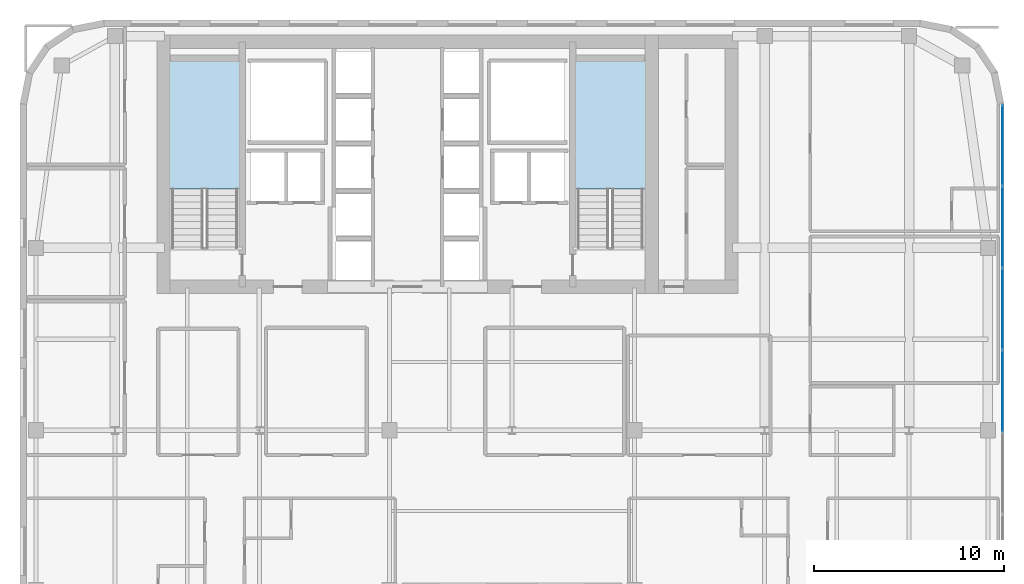
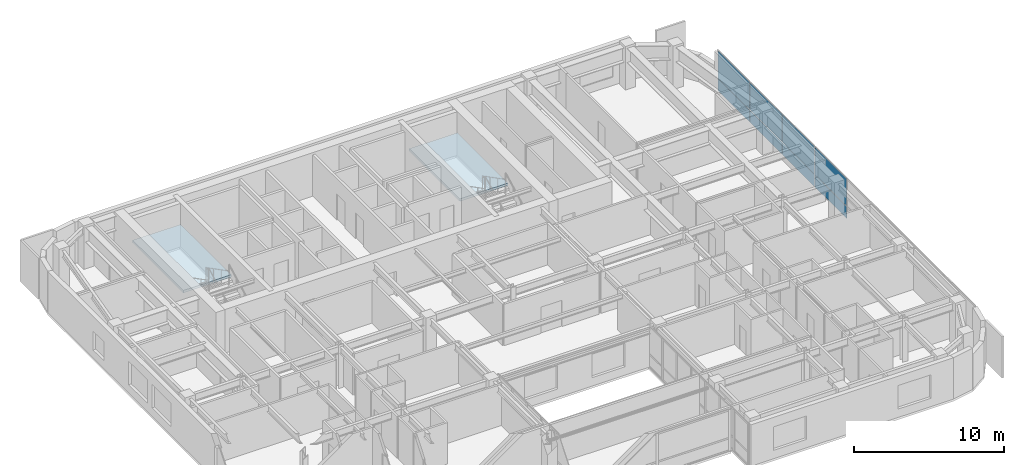
# One storey, part 12 of 20: 8 plates, 2 slabs, 3 elements without a shape of their own.
"""IFC4 building model written with IfcOpenShell, lengths in metres."""

import ifcopenshell
import ifcopenshell.guid

model = None  # the IFC model being written
_history = None  # IfcOwnerHistory: only IFC2X3 demands one
_inside = {}  # id of a spatial element -> (the spatial element, [elements in it])
_under = {}  # id of a project, library or spatial element -> (it, [spatial elements below it])
_declared = {}  # id of a project -> (the project, [libraries it declares])
_typed = {}  # id of a type object -> (the type object, [elements of that type])
_made_of = {}  # id of a material, layer set ... -> (it, [elements and type objects made of it])


def new_model(schema):
    """Start an empty IFC model of exactly this schema.

    Asked for "IFC4X3", IfcOpenShell would pick the latest addendum, in which some entities
    have other attributes; the version numbers below select the first issue.
    IFC2X3 requires an IfcOwnerHistory on every rooted entity: one is made here for all.
    """
    global model, _history
    if schema == "IFC4X3":
        model = ifcopenshell.file(schema_version=(4, 3, 0, 0))
    else:
        model = ifcopenshell.file(schema=schema)
    _inside.clear()
    _under.clear()
    _declared.clear()
    _typed.clear()
    _made_of.clear()
    _history = None
    if model.schema == "IFC2X3":
        org = make("IfcOrganization", Name="unknown")
        user = make(
            "IfcPersonAndOrganization",
            ThePerson=make("IfcPerson", FamilyName="unknown"),
            TheOrganization=org,
        )
        app = make(
            "IfcApplication",
            ApplicationDeveloper=org,
            Version="unknown",
            ApplicationFullName="unknown",
            ApplicationIdentifier="unknown",
        )
        _history = make(
            "IfcOwnerHistory",
            OwningUser=user,
            OwningApplication=app,
            ChangeAction="ADDED",
            CreationDate=0,
        )
    return model


def make(cls, **values):
    """One entity of the class cls with the attributes given. An attribute that is None is left unset."""
    return model.create_entity(
        cls, **{name: value for name, value in values.items() if value is not None}
    )


def rooted(cls, **values):
    """An entity with a GlobalId (a new one), such as an element, a storey or a relation."""
    return make(cls, GlobalId=ifcopenshell.guid.new(), OwnerHistory=_history, **values)


def si_unit(unit_type, name, prefix=None):
    """IfcSIUnit, for example si_unit("LENGTHUNIT", "METRE", prefix="MILLI")."""
    return make("IfcSIUnit", UnitType=unit_type, Prefix=prefix, Name=name)


def assignment(units):
    """IfcUnitAssignment: the units of a project."""
    return None if units is None else make("IfcUnitAssignment", Units=units)


def point(xyz):
    """IfcCartesianPoint."""
    return None if xyz is None else make("IfcCartesianPoint", Coordinates=xyz)


def direction(xyz):
    """IfcDirection."""
    return None if xyz is None else make("IfcDirection", DirectionRatios=xyz)


def frame(location, z_axis=None, x_axis=None):
    """IfcAxis2Placement3D, a coordinate frame: its origin and axes. An axis left out is left unset."""
    return make(
        "IfcAxis2Placement3D",
        Location=point(location),
        Axis=direction(z_axis),
        RefDirection=direction(x_axis),
    )


def frame_2d(location, x_axis=None):
    """IfcAxis2Placement2D, a coordinate frame in the plane: its origin and x axis."""
    return make(
        "IfcAxis2Placement2D", Location=point(location), RefDirection=direction(x_axis)
    )


def origin():
    """The frame at (0, 0, 0) with its axes left unset."""
    return frame((0.0, 0.0, 0.0))


def origin_2d():
    """The frame at (0, 0) in the plane with its x axis left unset."""
    return frame_2d((0.0, 0.0))


def place(relative_to, where):
    """IfcLocalPlacement: puts the frame where relative to a parent placement (None: the world)."""
    return make(
        "IfcLocalPlacement", PlacementRelTo=relative_to, RelativePlacement=where
    )


def context(
    kind, dimensions, precision=None, world=None, true_north=None, identifier=None
):
    """IfcGeometricRepresentationContext, for example the 3D "Model" context."""
    return make(
        "IfcGeometricRepresentationContext",
        ContextIdentifier=identifier,
        ContextType=kind,
        CoordinateSpaceDimension=dimensions,
        Precision=precision,
        WorldCoordinateSystem=world,
        TrueNorth=true_north,
    )


def subcontext(parent, identifier, kind, view, scale=None):
    """IfcGeometricRepresentationSubContext, for example "Body" below "Model"."""
    return make(
        "IfcGeometricRepresentationSubContext",
        ContextIdentifier=identifier,
        ContextType=kind,
        ParentContext=parent,
        TargetScale=scale,
        TargetView=view,
    )


def project(units=None, contexts=None):
    """IfcProject with its units and contexts."""
    return rooted(
        "IfcProject",
        Name="project",
        RepresentationContexts=contexts,
        UnitsInContext=assignment(units),
    )


def spatial(cls, under=None, at=None, **own):
    """A site, building, storey or space (cls), placed at a placement, below another one or the project."""
    s = rooted(cls, ObjectPlacement=at, **own)
    if under is not None:
        _under.setdefault(under.id(), (under, []))[1].append(s)
    return s


def polyline(points):
    """IfcPolyline through the points."""
    return make("IfcPolyline", Points=[point(p) for p in points])


def profile(cls, at=None, kind="AREA", **sizes):
    """A parametric profile (cls). Its sizes go by their IFC names, for example OverallWidth=200.0."""
    return make(cls, ProfileType=kind, Position=at, **sizes)


def rectangle(**sizes):
    """IfcRectangleProfileDef."""
    return profile("IfcRectangleProfileDef", **sizes)


def outline(outer, holes=None, kind="AREA"):
    """IfcArbitraryClosedProfileDef: a profile drawn as a closed curve; with holes, ...WithVoids."""
    if holes is None:
        return make("IfcArbitraryClosedProfileDef", ProfileType=kind, OuterCurve=outer)
    return make(
        "IfcArbitraryProfileDefWithVoids",
        ProfileType=kind,
        OuterCurve=outer,
        InnerCurves=holes,
    )


def extrude(swept, where, along, depth):
    """IfcExtrudedAreaSolid: the profile swept, set in the frame where, extruded along a direction by depth."""
    return make(
        "IfcExtrudedAreaSolid",
        SweptArea=swept,
        Position=where,
        ExtrudedDirection=direction(along),
        Depth=depth,
    )


def shape(context_of_items, identifier, shape_type, items):
    """IfcShapeRepresentation: the items that make up one representation, for example the "Body"."""
    return make(
        "IfcShapeRepresentation",
        ContextOfItems=context_of_items,
        RepresentationIdentifier=identifier,
        RepresentationType=shape_type,
        Items=items,
    )


def source(mapping_origin, context_of_items, identifier, shape_type, items):
    """IfcRepresentationMap: a shape defined once, which mapped items show again and again."""
    return make(
        "IfcRepresentationMap",
        MappingOrigin=mapping_origin,
        MappedRepresentation=shape(context_of_items, identifier, shape_type, items),
    )


def transform(
    local_origin,
    x_axis=None,
    y_axis=None,
    z_axis=None,
    scale=None,
    scale2=None,
    scale3=None,
    uniform=True,
):
    """IfcCartesianTransformationOperator3D, or its non-uniform kind. x_axis, y_axis, z_axis: its Axis1, 2, 3."""
    if uniform:
        return make(
            "IfcCartesianTransformationOperator3D",
            Axis1=direction(x_axis),
            Axis2=direction(y_axis),
            LocalOrigin=point(local_origin),
            Scale=scale,
            Axis3=direction(z_axis),
        )
    return make(
        "IfcCartesianTransformationOperator3DnonUniform",
        Axis1=direction(x_axis),
        Axis2=direction(y_axis),
        LocalOrigin=point(local_origin),
        Scale=scale,
        Axis3=direction(z_axis),
        Scale2=scale2,
        Scale3=scale3,
    )


def mapped(mapping_source, mapping_target):
    """IfcMappedItem: shows the shape of a source again, moved by a transform."""
    return make(
        "IfcMappedItem", MappingSource=mapping_source, MappingTarget=mapping_target
    )


def material(Name=None, Category=None):
    """IfcMaterial."""
    return make("IfcMaterial", Name=Name, Category=Category)


def layer(
    of_material, thickness, ventilated=None, Name=None, Category=None, Priority=None
):
    """IfcMaterialLayer: one layer of a wall or slab, of a material (None: an air gap)."""
    return make(
        "IfcMaterialLayer",
        Material=of_material,
        LayerThickness=thickness,
        IsVentilated=ventilated,
        Name=Name,
        Category=Category,
        Priority=Priority,
    )


def layer_set(layers, Name=None):
    """IfcMaterialLayerSet."""
    return make("IfcMaterialLayerSet", MaterialLayers=layers, LayerSetName=Name)


def made_of(thing, what):
    """Note that an element or type object is made of a material, layer set ...; save() writes the relation."""
    if what is not None:
        _made_of.setdefault(what.id(), (what, []))[1].append(thing)
    return thing


def type_object(cls, material=None, **own):
    """A type object (cls), such as IfcWallType, which elements share."""
    return made_of(rooted(cls, **own), material)


def type_shapes(of_type, sources):
    """Give a type object the sources (RepresentationMaps) that its elements show as mapped items."""
    of_type.RepresentationMaps = sources


def element(
    cls,
    number,
    at=None,
    inside=None,
    cuts=None,
    type_object=None,
    material=None,
    context=None,
    identifier="Body",
    shape_type=None,
    held_by="IfcProductDefinitionShape",
    body=None,
    shapes=None,
    **own,
):
    """One element of the class cls, such as IfcWall. Its Tag is "e" and its number.

    at: its placement. inside: the storey or other place that contains it. cuts: it is an
    opening in that element (IfcRelVoidsElement). A single representation is given by context,
    identifier, shape_type and body (its items); several are given by shapes. held_by: the class
    of the entity that holds the representations. save() writes the other relations.
    """
    e = rooted(cls, Tag="e%d" % number, ObjectPlacement=at, **own)
    if body is not None:
        shapes = [shape(context, identifier, shape_type, body)]
    if shapes is not None:
        e.Representation = make(held_by, Representations=shapes)
    if inside is not None:
        _inside.setdefault(inside.id(), (inside, []))[1].append(e)
    if cuts is not None:
        rooted(
            "IfcRelVoidsElement", RelatingBuildingElement=cuts, RelatedOpeningElement=e
        )
    if type_object is not None:
        _typed.setdefault(type_object.id(), (type_object, []))[1].append(e)
    return made_of(e, material)


def aggregate(whole, parts):
    """IfcRelAggregates: a whole, such as a stair, and the parts it consists of."""
    return rooted("IfcRelAggregates", RelatingObject=whole, RelatedObjects=parts)


def save(model, path):
    """Write the relations noted so far, then the file.

    IfcRelAggregates (storeys below a building ...), IfcRelContainedInSpatialStructure (elements
    in a storey), IfcRelDefinesByType, IfcRelAssociatesMaterial and IfcRelDeclares: one each for
    every whole, place, type object, material and project.
    """
    for whole, parts in _under.values():
        aggregate(whole, parts)
    for where, things in _inside.values():
        rooted(
            "IfcRelContainedInSpatialStructure",
            RelatedElements=things,
            RelatingStructure=where,
        )
    for kind, things in _typed.values():
        rooted("IfcRelDefinesByType", RelatedObjects=things, RelatingType=kind)
    for what, things in _made_of.values():
        rooted("IfcRelAssociatesMaterial", RelatedObjects=things, RelatingMaterial=what)
    for by, libraries in _declared.values():
        rooted("IfcRelDeclares", RelatingContext=by, RelatedDefinitions=libraries)
    model.write(path)


model = new_model("IFC4")

# Units and contexts
model_context = context("Model", 3, precision=1e-05, world=origin(), true_north=direction((0.0, 1.0)))
body_context = subcontext(model_context, "Body", "Model", "MODEL_VIEW")
ifc_project = project(units=[si_unit("LENGTHUNIT", "METRE"), si_unit("AREAUNIT", "SQUARE_METRE"), si_unit("VOLUMEUNIT", "CUBIC_METRE"), si_unit("PLANEANGLEUNIT", "RADIAN"), si_unit("MASSUNIT", "GRAM", prefix="KILO")], contexts=[model_context])

# Site, building, storey
site_placement = place(None, origin())
site = spatial("IfcSite", under=ifc_project, at=site_placement, CompositionType="ELEMENT")
building_placement = place(site_placement, origin())
building = spatial("IfcBuilding", under=site, at=building_placement, Name="Tolvann Quenvar Hotel", CompositionType="ELEMENT")
storey_placement = place(building_placement, frame((0.0, 0.0, 171.89990234375)))
storey = spatial("IfcBuildingStorey", under=building, at=storey_placement, Name="L45", CompositionType="ELEMENT", Elevation=171.89990234375)

# Stair, slab
ifc_material_1 = material(Name="Concrete N40 (40 MPa)", Category="concrete")
stair_type = type_object("IfcStairType", Name="STAIR", PredefinedType="HALF_TURN_STAIR", material=ifc_material_1)
stair_1_placement = place(storey_placement, origin())
stair_1 = element("IfcStair", 1, at=stair_1_placement, inside=storey, type_object=stair_type, Name="L45 ST-C1", PredefinedType="HALF_TURN_STAIR")
ifc_layer_1 = layer(ifc_material_1, 0.199951171875)
ifc_layer_set_1 = layer_set([ifc_layer_1], Name="Concrete N40 (40 MPa)")
slab_type = type_object("IfcSlabType", Name="SLAB_LANDING", PredefinedType="LANDING", material=ifc_layer_set_1)
slab_1_placement = place(storey_placement, frame((0.0, 0.0, 1.5751953125)))
slab_1 = element("IfcSlab", 2, at=slab_1_placement, type_object=slab_type, Name="ST-C1 landing 1", PredefinedType="LANDING", context=body_context, shape_type="SweptSolid", body=[
    extrude(outline(polyline([(14.179931640625, 37.10498046875), (14.179931640625, 43.8798828125), (10.469970703125, 43.8798828125), (10.469970703125, 37.10498046875), (14.179931640625, 37.10498046875)])), origin(), (0.0, 0.0, 1.0), 0.199951171875),
])
aggregate(stair_1, [slab_1])

stair_2_placement = place(storey_placement, origin())
stair_2 = element("IfcStair", 3, at=stair_2_placement, inside=storey, type_object=stair_type, Name="L45 ST-C2", PredefinedType="HALF_TURN_STAIR")
slab_2_placement = place(storey_placement, frame((0.0, 0.0, 1.5751953125)))
slab_2 = element("IfcSlab", 4, at=slab_2_placement, type_object=slab_type, Name="ST-C2 landing 1", PredefinedType="LANDING", context=body_context, shape_type="SweptSolid", body=[
    extrude(outline(polyline([(35.530029296875, 37.10498046875), (35.530029296875, 43.8798828125), (31.820068359375, 43.8798828125), (31.820068359375, 37.10498046875), (35.530029296875, 37.10498046875)])), origin(), (0.0, 0.0, 1.0), 0.199951171875),
])
aggregate(stair_2, [slab_2])

# Curtain wall, plates
ifc_material_2 = material(Name="Thermally broken anodised architectural aluminium 6063-T6 and laminated low-E glass", Category="aluminium")
ifc_layer_2 = layer(ifc_material_2, 0.179931640625)
ifc_layer_set_2 = layer_set([ifc_layer_2], Name="Thermally broken anodised architectural aluminium 6063-T6 and laminated low-E glass")
curtain_wall_type = type_object("IfcCurtainWallType", Name="CW_SYS_BAND_04", PredefinedType="USERDEFINED", material=ifc_layer_set_2)
curtain_wall_placement = place(storey_placement, origin())
curtain_wall = element("IfcCurtainWall", 5, at=curtain_wall_placement, inside=storey, type_object=curtain_wall_type, Name="Curtain Wall CW-BAND-04 (CWR-L45-E13)", ObjectType="UNITISED CURTAIN WALL", PredefinedType="USERDEFINED")
ifc_material_3 = material(Name="Low-iron laminated double glazing with solar-control coating", Category="glass")
ifc_layer_3 = layer(ifc_material_3, 0.028076171875)
ifc_layer_set_3 = layer_set([ifc_layer_3], Name="Low-iron laminated double glazing with solar-control coating")
plate_type = type_object("IfcPlateType", Name="CW_PAN_VISION_28", PredefinedType="CURTAIN_PANEL", material=ifc_layer_set_3)
shared_shape_1 = source(origin(), body_context, "Body", "SweptSolid", [
    extrude(rectangle(XDim=4.2158203125, YDim=0.028076171875, at=origin_2d()), origin(), (0.0, 0.0, 1.0), 0.9599609375),
])
plate_1_placement = place(storey_placement, frame((54.31005859375, 39.405029296875, 0.06005859375), z_axis=(0.0, 0.0, 1.0), x_axis=(0.0, 1.0, 0.0)))
plate_1 = element("IfcPlate", 6, at=plate_1_placement, type_object=plate_type, Name="CW-BAND-04 panel 8.1", PredefinedType="CURTAIN_PANEL", context=body_context, shape_type="MappedRepresentation", body=[
    mapped(shared_shape_1, transform((0.0, 0.0, 0.0), x_axis=(1.0, 0.0, 0.0), y_axis=(0.0, 1.0, 0.0), z_axis=(0.0, 0.0, 1.0), scale=1.0)),
])
shared_shape_2 = source(origin(), body_context, "Body", "SweptSolid", [
    extrude(rectangle(XDim=4.2158203125, YDim=0.028076171875, at=origin_2d()), origin(), (0.0, 0.0, 1.0), 2.22998046875),
])
plate_2_placement = place(storey_placement, frame((54.31005859375, 39.405029296875, 1.080078125), z_axis=(0.0, 0.0, 1.0), x_axis=(0.0, 1.0, 0.0)))
plate_2 = element("IfcPlate", 7, at=plate_2_placement, type_object=plate_type, Name="CW-BAND-04 panel 8.2", PredefinedType="CURTAIN_PANEL", context=body_context, shape_type="MappedRepresentation", body=[
    mapped(shared_shape_2, transform((0.0, 0.0, 0.0), x_axis=(1.0, 0.0, 0.0), y_axis=(0.0, 1.0, 0.0), z_axis=(0.0, 0.0, 1.0), scale=1.0)),
])
shared_shape_3 = source(origin(), body_context, "Body", "SweptSolid", [
    extrude(rectangle(XDim=4.250732421875, YDim=0.028076171875, at=origin_2d()), origin(), (0.0, 0.0, 1.0), 0.9599609375),
])
plate_3_placement = place(storey_placement, frame((54.31005859375, 26.46044921875, 0.06005859375), z_axis=(0.0, 0.0, 1.0), x_axis=(0.0, 1.0, 0.0)))
plate_3 = element("IfcPlate", 8, at=plate_3_placement, type_object=plate_type, Name="CW-BAND-04 panel 5.1", PredefinedType="CURTAIN_PANEL", context=body_context, shape_type="MappedRepresentation", body=[
    mapped(shared_shape_3, transform((0.0, 0.0, 0.0), x_axis=(1.0, 0.0, 0.0), y_axis=(0.0, 1.0, 0.0), z_axis=(0.0, 0.0, 1.0), scale=1.0)),
])
plate_4_placement = place(storey_placement, frame((54.31005859375, 30.781005859375, 0.06005859375), z_axis=(0.0, 0.0, 1.0), x_axis=(0.0, 1.0, 0.0)))
plate_4 = element("IfcPlate", 9, at=plate_4_placement, type_object=plate_type, Name="CW-BAND-04 panel 6.1", PredefinedType="CURTAIN_PANEL", context=body_context, shape_type="MappedRepresentation", body=[
    mapped(shared_shape_3, transform((0.0, 0.0, 0.0), x_axis=(1.0, 0.0, 0.0), y_axis=(0.0, 1.0, 0.0), z_axis=(0.0, 0.0, 1.0), scale=1.0)),
])
plate_5_placement = place(storey_placement, frame((54.31005859375, 35.101806640625, 0.06005859375), z_axis=(0.0, 0.0, 1.0), x_axis=(0.0, 1.0, 0.0)))
plate_5 = element("IfcPlate", 10, at=plate_5_placement, type_object=plate_type, Name="CW-BAND-04 panel 7.1", PredefinedType="CURTAIN_PANEL", context=body_context, shape_type="MappedRepresentation", body=[
    mapped(shared_shape_3, transform((0.0, 0.0, 0.0), x_axis=(1.0, 0.0, 0.0), y_axis=(0.0, 1.0, 0.0), z_axis=(0.0, 0.0, 1.0), scale=1.0)),
])
shared_shape_4 = source(origin(), body_context, "Body", "SweptSolid", [
    extrude(rectangle(XDim=4.250732421875, YDim=0.028076171875, at=origin_2d()), origin(), (0.0, 0.0, 1.0), 2.22998046875),
])
type_shapes(plate_type, [shared_shape_1, shared_shape_2, shared_shape_3, shared_shape_4])
plate_6_placement = place(storey_placement, frame((54.31005859375, 26.46044921875, 1.080078125), z_axis=(0.0, 0.0, 1.0), x_axis=(0.0, 1.0, 0.0)))
plate_6 = element("IfcPlate", 11, at=plate_6_placement, type_object=plate_type, Name="CW-BAND-04 panel 5.2", PredefinedType="CURTAIN_PANEL", context=body_context, shape_type="MappedRepresentation", body=[
    mapped(shared_shape_4, transform((0.0, 0.0, 0.0), x_axis=(1.0, 0.0, 0.0), y_axis=(0.0, 1.0, 0.0), z_axis=(0.0, 0.0, 1.0), scale=1.0)),
])
plate_7_placement = place(storey_placement, frame((54.31005859375, 30.781005859375, 1.080078125), z_axis=(0.0, 0.0, 1.0), x_axis=(0.0, 1.0, 0.0)))
plate_7 = element("IfcPlate", 12, at=plate_7_placement, type_object=plate_type, Name="CW-BAND-04 panel 6.2", PredefinedType="CURTAIN_PANEL", context=body_context, shape_type="MappedRepresentation", body=[
    mapped(shared_shape_4, transform((0.0, 0.0, 0.0), x_axis=(1.0, 0.0, 0.0), y_axis=(0.0, 1.0, 0.0), z_axis=(0.0, 0.0, 1.0), scale=1.0)),
])
plate_8_placement = place(storey_placement, frame((54.31005859375, 35.101806640625, 1.080078125), z_axis=(0.0, 0.0, 1.0), x_axis=(0.0, 1.0, 0.0)))
plate_8 = element("IfcPlate", 13, at=plate_8_placement, type_object=plate_type, Name="CW-BAND-04 panel 7.2", PredefinedType="CURTAIN_PANEL", context=body_context, shape_type="MappedRepresentation", body=[
    mapped(shared_shape_4, transform((0.0, 0.0, 0.0), x_axis=(1.0, 0.0, 0.0), y_axis=(0.0, 1.0, 0.0), z_axis=(0.0, 0.0, 1.0), scale=1.0)),
])
aggregate(curtain_wall, [plate_3, plate_6, plate_4, plate_7, plate_5, plate_8, plate_1, plate_2])

save(model, "model.ifc")
